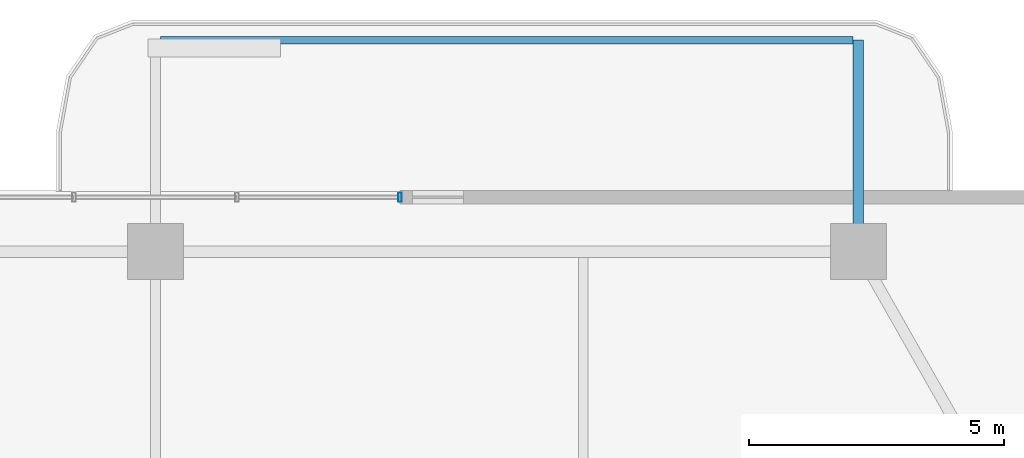
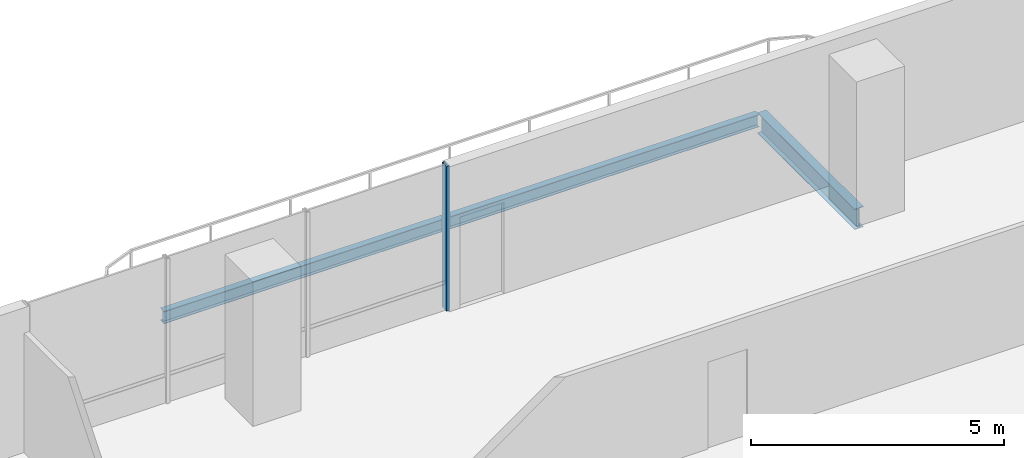
# One storey, part 15 of 24: 2 beams, 1 member, 1 element without a shape of its own.
"""IFC4 building model written with IfcOpenShell, lengths in metres."""

from ifc_helpers import new_model, si_unit, direction, frame, origin, origin_2d, place, context, subcontext, project, spatial, hollow_rectangle, i_section, extrude, material, layer, layer_set, material_profile, profile_set, type_object, element, aggregate, save


model = new_model("IFC4")

# Units and contexts
model_context = context("Model", 3, precision=1e-05, world=origin(), true_north=direction((0.0, 1.0)))
body_context = subcontext(model_context, "Body", "Model", "MODEL_VIEW")
ifc_project = project(units=[si_unit("LENGTHUNIT", "METRE"), si_unit("AREAUNIT", "SQUARE_METRE"), si_unit("VOLUMEUNIT", "CUBIC_METRE"), si_unit("PLANEANGLEUNIT", "RADIAN"), si_unit("MASSUNIT", "GRAM", prefix="KILO")], contexts=[model_context])

# Site, building, storey
site_placement = place(None, origin())
site = spatial("IfcSite", under=ifc_project, at=site_placement, CompositionType="ELEMENT")
building_placement = place(site_placement, origin())
building = spatial("IfcBuilding", under=site, at=building_placement, Name="Belovzor Exchange Tower", CompositionType="ELEMENT")
storey_placement = place(building_placement, frame((0.0, 0.0, 207.449951171875)))
storey = spatial("IfcBuildingStorey", under=building, at=storey_placement, Name="L51", CompositionType="ELEMENT", Elevation=207.449951171875)

# Beams
ifc_material_1 = material(Name="Steel S355", Category="steel")
ifc_material_profile_1 = material_profile(ifc_material_1, i_section(OverallWidth=0.199951171875, OverallDepth=0.5, WebThickness=0.01025390625, FlangeThickness=0.01611328125, at=origin_2d()))
ifc_profile_set_1 = profile_set([ifc_material_profile_1], Name="Steel S355")
beam_type_1 = type_object("IfcBeamType", Name="Planted Balcony Cantilever Beam IPE 500", PredefinedType="BEAM", material=ifc_profile_set_1)
beam_1_placement = place(storey_placement, frame((42.60009765625, 54.903076171875, -0.5), z_axis=(0.0, 1.0, 0.0), x_axis=(-1.0, 0.0, 0.0)))
element("IfcBeam", 1, at=beam_1_placement, inside=storey, type_object=beam_type_1, Name="BC-500 Planted Balcony Cantilever Beam IPE 500", PredefinedType="BEAM", context=body_context, shape_type="SweptSolid", body=[
    extrude(i_section(OverallWidth=0.199951171875, OverallDepth=0.5, WebThickness=0.01025390625, FlangeThickness=0.01611328125, at=origin_2d()), origin(), (0.0, 0.0, 1.0), 3.849853515625),
])
ifc_material_2 = material(Name="Steel S355", Category="steel")
ifc_material_profile_2 = material_profile(ifc_material_2, i_section(OverallWidth=0.14990234375, OverallDepth=0.300048828125, WebThickness=0.007080078125, FlangeThickness=0.0107421875, at=origin_2d()))
ifc_profile_set_2 = profile_set([ifc_material_profile_2], Name="Steel S355")
beam_type_2 = type_object("IfcBeamType", Name="Planted Balcony Fascia Edge Beam IPE 300", PredefinedType="BEAM", material=ifc_profile_set_2)
beam_2_placement = place(storey_placement, frame((42.5, 58.7529296875, -0.39990234375), z_axis=(-1.0, 0.0, 0.0), x_axis=(0.0, -1.0, 0.0)))
element("IfcBeam", 2, at=beam_2_placement, inside=storey, type_object=beam_type_2, Name="BC-300 Planted Balcony Fascia Edge Beam IPE 300", PredefinedType="BEAM", context=body_context, shape_type="SweptSolid", body=[
    extrude(i_section(OverallWidth=0.14990234375, OverallDepth=0.300048828125, WebThickness=0.007080078125, FlangeThickness=0.0107421875, at=origin_2d()), origin(), (0.0, 0.0, 1.0), 13.60009765625),
])

# Curtain wall, member
ifc_material_3 = material(Name="Anodised Aluminium Framing", Category="aluminium")
ifc_layer = layer(ifc_material_3, 0.179931640625)
ifc_layer_set = layer_set([ifc_layer], Name="Anodised Aluminium Framing")
curtain_wall_type = type_object("IfcCurtainWallType", Name="Recessed Loggia Low-Iron Triple-Glazed Curtain Wall", PredefinedType="NOTDEFINED", material=ifc_layer_set)
curtain_wall_placement = place(storey_placement, origin())
curtain_wall = element("IfcCurtainWall", 3, at=curtain_wall_placement, inside=storey, type_object=curtain_wall_type, Name="CW3 Recessed Loggia Low-Iron Triple-Glazed Curtain Wall L51", PredefinedType="NOTDEFINED")
ifc_material_4 = material(Name="Steel S355", Category="steel")
ifc_material_profile_3 = material_profile(ifc_material_4, hollow_rectangle(XDim=0.074951171875, YDim=0.179931640625, WallThickness=0.0048828125, at=origin_2d()))
ifc_profile_set_3 = profile_set([ifc_material_profile_3], Name="Steel S355")
member_type = type_object("IfcMemberType", Name="Thermally Broken Curtain Wall Mullion 180x75", PredefinedType="MULLION", material=ifc_profile_set_3)
member_placement = place(storey_placement, frame((33.60009765625, 55.669921875, 0.0), z_axis=(0.0, 0.0, 1.0), x_axis=(1.0, 0.0, 0.0)))
member = element("IfcMember", 4, at=member_placement, type_object=member_type, Name="CW-M180 Curtain Wall Mullion 4", PredefinedType="MULLION", context=body_context, shape_type="SweptSolid", body=[
    extrude(hollow_rectangle(XDim=0.074951171875, YDim=0.179931640625, WallThickness=0.0048828125, at=origin_2d()), origin(), (0.0, 0.0, 1.0), 3.5),
])
aggregate(curtain_wall, [member])

save(model, "model.ifc")
